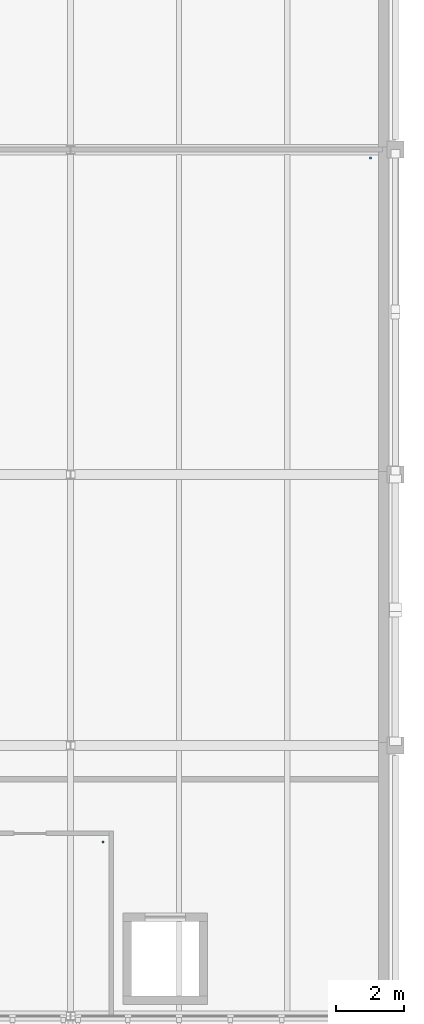
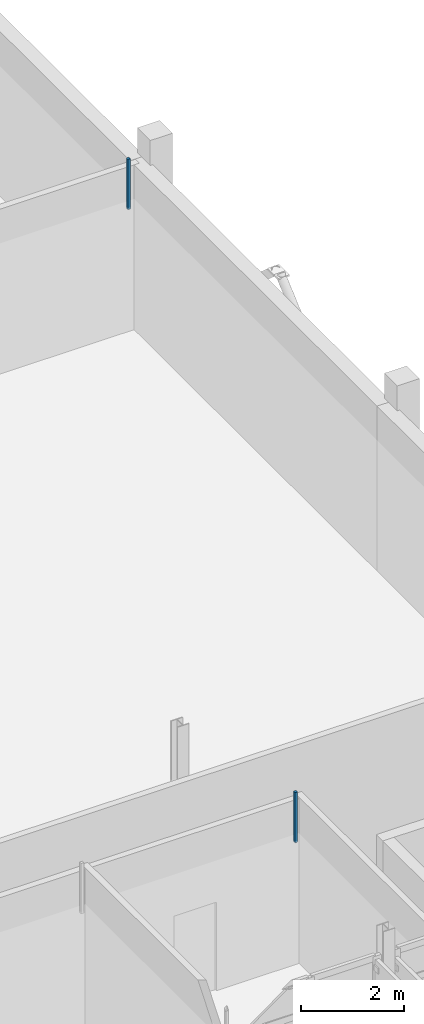
# One storey, part 87 of 107: 2 discrete accessories.
"""IFC4 building model written with IfcOpenShell, lengths in metres."""

from ifc_helpers import new_model, si_unit, direction, frame, origin, place, context, subcontext, project, spatial, polyline, outline, extrude, material, type_object, element, save


model = new_model("IFC4")

# Units and contexts
model_context = context("Model", 3, precision=1e-05, world=origin(), true_north=direction((0.0, 1.0)))
body_context = subcontext(model_context, "Body", "Model", "MODEL_VIEW")
ifc_project = project(units=[si_unit("LENGTHUNIT", "METRE"), si_unit("AREAUNIT", "SQUARE_METRE"), si_unit("VOLUMEUNIT", "CUBIC_METRE"), si_unit("PLANEANGLEUNIT", "RADIAN"), si_unit("MASSUNIT", "GRAM", prefix="KILO")], contexts=[model_context])

# Site, building, storey
site_placement = place(None, origin())
site = spatial("IfcSite", under=ifc_project, at=site_placement, CompositionType="ELEMENT")
building_placement = place(site_placement, origin())
building = spatial("IfcBuilding", under=site, at=building_placement, Name="Dunescarp Central Library", CompositionType="ELEMENT")
storey_placement = place(building_placement, frame((0.0, 0.0, 5.10009765625)))
storey = spatial("IfcBuildingStorey", under=building, at=storey_placement, Name="L01", CompositionType="ELEMENT", Elevation=5.10009765625)

# Discrete accessories
ifc_material = material(Name="Stainless steel Grade 316L", Category="steel")
discrete_accessory_type = type_object("IfcDiscreteAccessoryType", Name="ARC-ACC-BRK", PredefinedType="BRACKET", material=ifc_material)
discrete_accessory_1_placement = place(storey_placement, frame((0.0, 0.0, 3.059814453125)))
element("IfcDiscreteAccessory", 1, at=discrete_accessory_1_placement, inside=storey, type_object=discrete_accessory_type, Name="L01 ceiling hanger CLG-L01-145-H2", PredefinedType="BRACKET", context=body_context, shape_type="SweptSolid", body=[
    extrude(outline(polyline([(159.320068359375, 9.919921875), (159.3798828125, 9.919921875), (159.3798828125, 9.97998046875), (159.320068359375, 9.97998046875), (159.320068359375, 9.919921875)])), origin(), (0.0, 0.0, 1.0), 1.190185546875),
])
discrete_accessory_2_placement = place(storey_placement, frame((0.0, 0.0, 3.059814453125)))
element("IfcDiscreteAccessory", 2, at=discrete_accessory_2_placement, inside=storey, type_object=discrete_accessory_type, Name="L01 ceiling hanger CLG-L01-149-H2", PredefinedType="BRACKET", context=body_context, shape_type="SweptSolid", body=[
    extrude(outline(polyline([(167.22998046875, 30.1201171875), (167.2900390625, 30.1201171875), (167.2900390625, 30.179931640625), (167.22998046875, 30.179931640625), (167.22998046875, 30.1201171875)])), origin(), (0.0, 0.0, 1.0), 1.190185546875),
])

save(model, "model.ifc")
